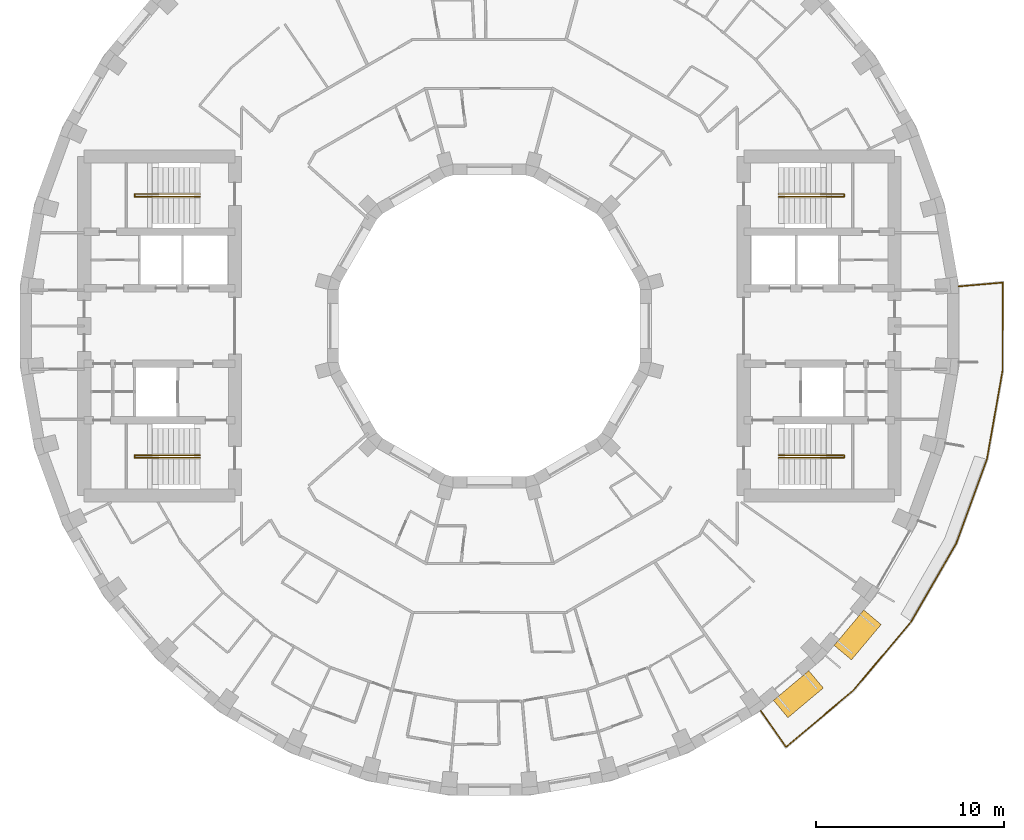
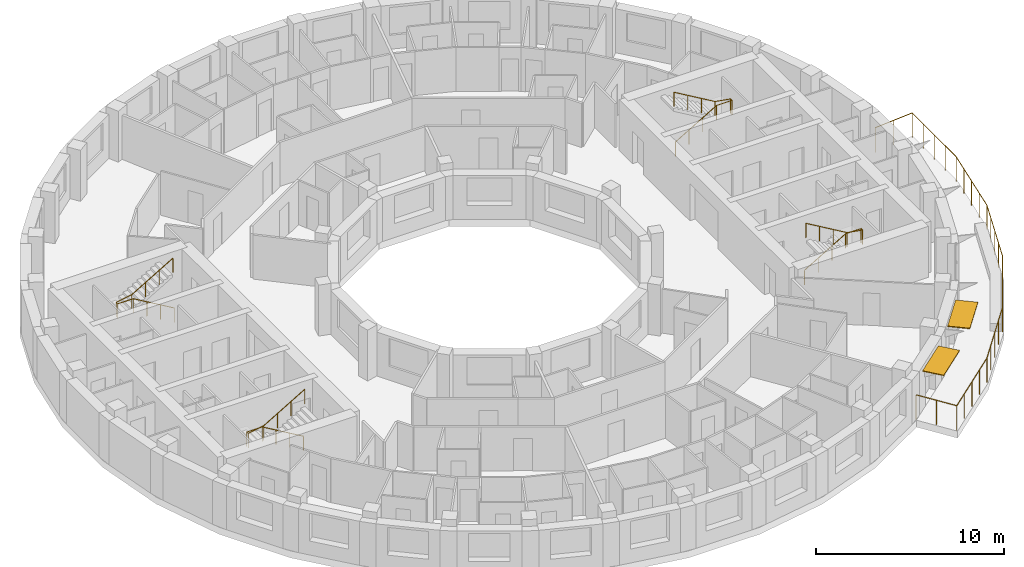
# One storey, part 14 of 14: 5 railings, 2 shading devices.
"""IFC4 building model written with IfcOpenShell, lengths in metres."""

from ifc_helpers import new_model, si_unit, direction, frame, origin, origin_2d, place, context, subcontext, project, spatial, rectangle, circle, extrude, material, layer, layer_set, type_object, element, save


model = new_model("IFC4")

# Units and contexts
model_context = context("Model", 3, precision=1e-05, world=origin(), true_north=direction((0.0, 1.0)))
body_context = subcontext(model_context, "Body", "Model", "MODEL_VIEW")
ifc_project = project(units=[si_unit("LENGTHUNIT", "METRE"), si_unit("AREAUNIT", "SQUARE_METRE"), si_unit("VOLUMEUNIT", "CUBIC_METRE"), si_unit("PLANEANGLEUNIT", "RADIAN"), si_unit("MASSUNIT", "GRAM", prefix="KILO")], contexts=[model_context])

# Site, building, storey
site_placement = place(None, origin())
site = spatial("IfcSite", under=ifc_project, at=site_placement, CompositionType="ELEMENT")
building_placement = place(site_placement, origin())
building = spatial("IfcBuilding", under=site, at=building_placement, Name="Saqina Gate Tower", CompositionType="ELEMENT")
storey_placement = place(building_placement, frame((0.0, 0.0, 170.699951171875)))
storey = spatial("IfcBuildingStorey", under=building, at=storey_placement, Name="L48", CompositionType="ELEMENT", Elevation=170.699951171875)

# Shading devices
ifc_material_1 = material(Name="Aluminium and fabric awning", Category="aluminium")
ifc_layer = layer(ifc_material_1, 0.050048828125)
ifc_layer_set = layer_set([ifc_layer], Name="AW-TERRACE")
shading_device_type = type_object("IfcShadingDeviceType", Name="AW-TERRACE", PredefinedType="AWNING", material=ifc_layer_set)
for number, where, z_axis, x_axis, name in (
    (1, (16.394287109375, -19.537841796875, 2.52490234375), (0.0, 0.0, 1.0), (0.766044443119, 0.642787609687, 0.0), "Terrace awning L48 facet 31"),
    (2, (19.537841796875, -16.394287109375, 2.52490234375), (0.0, 0.0, 1.0), (0.642787609687, 0.766044443119, 0.0), "Terrace awning L48 facet 32"),
):
    element("IfcShadingDevice", number, at=place(storey_placement, frame(where, z_axis=z_axis, x_axis=x_axis)), inside=storey, type_object=shading_device_type, Name=name, PredefinedType="AWNING", context=body_context, shape_type="SweptSolid", body=[
        extrude(rectangle(XDim=2.44970703125, YDim=1.199951171875, at=origin_2d()), origin(), (0.0, 0.0, 1.0), 0.050048828125),
    ])

# Railings
ifc_material_2 = material(Name="Stainless steel", Category="steel")
railing_type_1 = type_object("IfcRailingType", Name="RL-TERRACE", PredefinedType="GUARDRAIL", material=ifc_material_2)
railing_1_placement = place(storey_placement, frame((14.37060546875, -20.3837890625, 0.0)))
element("IfcRailing", 3, at=railing_1_placement, inside=storey, type_object=railing_type_1, Name="Terrace guard L48", PredefinedType="GUARDRAIL", context=body_context, shape_type="SweptSolid", body=[
    extrude(circle(Radius=0.02392578125, at=origin_2d()), frame((0.0, 0.0, 1.576171875), z_axis=(0.573565229124, -0.819159891559, 0.0), x_axis=(0.819159891559, 0.573565229124, 0.0)), (0.0, 0.0, 1.0), 2.388671875),
    extrude(circle(Radius=0.02392578125, at=origin_2d()), frame((1.3701171875, -1.956787109375, 1.576171875), z_axis=(0.765097689878, 0.643914221728, 0.0), x_axis=(-0.643914221728, 0.765097689878, 0.0)), (0.0, 0.0, 1.0), 4.68408203125),
    extrude(circle(Radius=0.02392578125, at=origin_2d()), frame((4.953857421875, 1.059326171875, 1.576171875), z_axis=(0.642786942402, 0.766045003037, 0.0), x_axis=(-0.766045003037, 0.642786942402, 0.0)), (0.0, 0.0, 1.0), 4.763671875),
    extrude(circle(Radius=0.02392578125, at=origin_2d()), frame((8.015869140625, 4.70849609375, 1.576171875), z_axis=(0.499997507361, 0.866026842905, 0.0), x_axis=(-0.866026842905, 0.499997507361, 0.0)), (0.0, 0.0, 1.0), 4.763671875),
    extrude(circle(Radius=0.02392578125, at=origin_2d()), frame((10.397705078125, 8.833984375, 1.576171875), z_axis=(0.342031084868, 0.939688638318, 0.0), x_axis=(-0.939688638318, 0.342031084868, 0.0)), (0.0, 0.0, 1.0), 4.763916015625),
    extrude(circle(Radius=0.02392578125, at=origin_2d()), frame((12.027099609375, 13.310546875, 1.576171875), z_axis=(0.173633303123, 0.98481037568, 0.0), x_axis=(-0.98481037568, 0.173633303123, 0.0)), (0.0, 0.0, 1.0), 4.763671875),
    extrude(circle(Radius=0.02392578125, at=origin_2d()), frame((12.854248046875, 18.001953125, 1.576171875), z_axis=(0.001459395923, 0.999998935081, 0.0), x_axis=(-0.999998935081, 0.001459395923, 0.0)), (0.0, 0.0, 1.0), 4.68408203125),
    extrude(circle(Radius=0.02392578125, at=origin_2d()), frame((12.861083984375, 22.68603515625, 1.576171875), z_axis=(-0.996192497087, -0.087180896688, 0.0), x_axis=(0.087180896688, -0.996192497087, 0.0)), (0.0, 0.0, 1.0), 2.388671875),
    extrude(circle(Radius=0.02099609375, at=origin_2d()), origin(), (0.0, 0.0, 1.0), 1.552001953125),
    extrude(circle(Radius=0.02099609375, at=origin_2d()), frame((0.68505859375, -0.978515625, 0.0)), (0.0, 0.0, 1.0), 1.552001953125),
    extrude(circle(Radius=0.02099609375, at=origin_2d()), frame((1.3701171875, -1.956787109375, 0.0)), (0.0, 0.0, 1.0), 1.552001953125),
    extrude(circle(Radius=0.02099609375, at=origin_2d()), frame((2.26611328125, -1.20263671875, 0.0)), (0.0, 0.0, 1.0), 1.552001953125),
    extrude(circle(Radius=0.02099609375, at=origin_2d()), frame((3.162109375, -0.44873046875, 0.0)), (0.0, 0.0, 1.0), 1.552001953125),
    extrude(circle(Radius=0.02099609375, at=origin_2d()), frame((4.057861328125, 0.30517578125, 0.0)), (0.0, 0.0, 1.0), 1.552001953125),
    extrude(circle(Radius=0.02099609375, at=origin_2d()), frame((4.953857421875, 1.059326171875, 0.0)), (0.0, 0.0, 1.0), 1.552001953125),
    extrude(circle(Radius=0.02099609375, at=origin_2d()), frame((5.71923828125, 1.9716796875, 0.0)), (0.0, 0.0, 1.0), 1.552001953125),
    extrude(circle(Radius=0.02099609375, at=origin_2d()), frame((6.48486328125, 2.8837890625, 0.0)), (0.0, 0.0, 1.0), 1.552001953125),
    extrude(circle(Radius=0.02099609375, at=origin_2d()), frame((7.25048828125, 3.796142578125, 0.0)), (0.0, 0.0, 1.0), 1.552001953125),
    extrude(circle(Radius=0.02099609375, at=origin_2d()), frame((8.015869140625, 4.70849609375, 0.0)), (0.0, 0.0, 1.0), 1.552001953125),
    extrude(circle(Radius=0.02099609375, at=origin_2d()), frame((8.611328125, 5.73974609375, 0.0)), (0.0, 0.0, 1.0), 1.552001953125),
    extrude(circle(Radius=0.02099609375, at=origin_2d()), frame((9.206787109375, 6.771240234375, 0.0)), (0.0, 0.0, 1.0), 1.552001953125),
    extrude(circle(Radius=0.02099609375, at=origin_2d()), frame((9.80224609375, 7.802734375, 0.0)), (0.0, 0.0, 1.0), 1.552001953125),
    extrude(circle(Radius=0.02099609375, at=origin_2d()), frame((10.397705078125, 8.833984375, 0.0)), (0.0, 0.0, 1.0), 1.552001953125),
    extrude(circle(Radius=0.02099609375, at=origin_2d()), frame((10.80517578125, 9.953125, 0.0)), (0.0, 0.0, 1.0), 1.552001953125),
    extrude(circle(Radius=0.02099609375, at=origin_2d()), frame((11.21240234375, 11.072265625, 0.0)), (0.0, 0.0, 1.0), 1.552001953125),
    extrude(circle(Radius=0.02099609375, at=origin_2d()), frame((11.61962890625, 12.19140625, 0.0)), (0.0, 0.0, 1.0), 1.552001953125),
    extrude(circle(Radius=0.02099609375, at=origin_2d()), frame((12.027099609375, 13.310546875, 0.0)), (0.0, 0.0, 1.0), 1.552001953125),
    extrude(circle(Radius=0.02099609375, at=origin_2d()), frame((12.23388671875, 14.4833984375, 0.0)), (0.0, 0.0, 1.0), 1.552001953125),
    extrude(circle(Radius=0.02099609375, at=origin_2d()), frame((12.440673828125, 15.65625, 0.0)), (0.0, 0.0, 1.0), 1.552001953125),
    extrude(circle(Radius=0.02099609375, at=origin_2d()), frame((12.6474609375, 16.8291015625, 0.0)), (0.0, 0.0, 1.0), 1.552001953125),
    extrude(circle(Radius=0.02099609375, at=origin_2d()), frame((12.854248046875, 18.001953125, 0.0)), (0.0, 0.0, 1.0), 1.552001953125),
    extrude(circle(Radius=0.02099609375, at=origin_2d()), frame((12.85595703125, 19.1728515625, 0.0)), (0.0, 0.0, 1.0), 1.552001953125),
    extrude(circle(Radius=0.02099609375, at=origin_2d()), frame((12.857666015625, 20.343994140625, 0.0)), (0.0, 0.0, 1.0), 1.552001953125),
    extrude(circle(Radius=0.02099609375, at=origin_2d()), frame((12.859375, 21.51513671875, 0.0)), (0.0, 0.0, 1.0), 1.552001953125),
    extrude(circle(Radius=0.02099609375, at=origin_2d()), frame((12.861083984375, 22.68603515625, 0.0)), (0.0, 0.0, 1.0), 1.552001953125),
    extrude(circle(Radius=0.02099609375, at=origin_2d()), frame((11.67138671875, 22.58203125, 0.0)), (0.0, 0.0, 1.0), 1.552001953125),
    extrude(circle(Radius=0.02099609375, at=origin_2d()), frame((10.4814453125, 22.477783203125, 0.0)), (0.0, 0.0, 1.0), 1.552001953125),
])
ifc_material_3 = material(Name="Stainless steel", Category="steel")
railing_type_2 = type_object("IfcRailingType", Name="STAIR HANDRAIL", PredefinedType="HANDRAIL", material=ifc_material_3)
railing_2_placement = place(storey_placement, frame((15.35009765625, 6.85009765625, 0.1650390625)))
element("IfcRailing", 4, at=railing_2_placement, inside=storey, type_object=railing_type_2, Name="EXIT STAIR 1 HANDRAIL", PredefinedType="HANDRAIL", context=body_context, shape_type="SweptSolid", body=[
    extrude(circle(Radius=0.02392578125, at=origin_2d()), frame((0.0, 0.0, 0.92578125), z_axis=(0.86152411907, 0.0, 0.507716645641), x_axis=(0.0, 1.0, 0.0)), (0.0, 0.0, 1.0), 2.925048828125),
    extrude(circle(Radius=0.02392578125, at=origin_2d()), frame((2.52001953125, 0.0, 2.4111328125), z_axis=(1.0, 0.0, 0.0), x_axis=(0.0, 1.0, 0.0)), (0.0, 0.0, 1.0), 0.949951171875),
    extrude(circle(Radius=0.02392578125, at=origin_2d()), frame((3.469970703125, 0.0, 2.4111328125), z_axis=(0.0, 1.0, 0.0), x_axis=(-1.0, 0.0, 0.0)), (0.0, 0.0, 1.0), 0.14990234375),
    extrude(circle(Radius=0.02392578125, at=origin_2d()), frame((3.469970703125, 0.14990234375, 2.4111328125), z_axis=(-0.985284148366, 0.0, 0.170924389655), x_axis=(0.0, -1.0, 0.0)), (0.0, 0.0, 1.0), 0.964111328125),
    extrude(circle(Radius=0.02392578125, at=origin_2d()), frame((2.52001953125, 0.14990234375, 2.57568359375), z_axis=(-0.86152411907, 0.0, 0.507716645641), x_axis=(0.0, -1.0, 0.0)), (0.0, 0.0, 1.0), 2.925048828125),
    extrude(circle(Radius=0.02099609375, at=origin_2d()), origin(), (0.0, 0.0, 1.0), 0.90185546875),
    extrude(circle(Radius=0.02099609375, at=origin_2d()), frame((0.840087890625, 0.0, 0.4951171875)), (0.0, 0.0, 1.0), 0.90185546875),
    extrude(circle(Radius=0.02099609375, at=origin_2d()), frame((1.679931640625, 0.0, 0.989990234375)), (0.0, 0.0, 1.0), 0.90185546875),
    extrude(circle(Radius=0.02099609375, at=origin_2d()), frame((2.52001953125, 0.0, 1.485107421875)), (0.0, 0.0, 1.0), 0.90185546875),
    extrude(circle(Radius=0.02099609375, at=origin_2d()), frame((3.469970703125, 0.0, 1.485107421875)), (0.0, 0.0, 1.0), 0.90185546875),
    extrude(circle(Radius=0.02099609375, at=origin_2d()), frame((3.469970703125, 0.14990234375, 1.485107421875)), (0.0, 0.0, 1.0), 0.90185546875),
    extrude(circle(Radius=0.02099609375, at=origin_2d()), frame((2.52001953125, 0.14990234375, 1.64990234375)), (0.0, 0.0, 1.0), 0.90185546875),
    extrude(circle(Radius=0.02099609375, at=origin_2d()), frame((1.679931640625, 0.14990234375, 2.14501953125)), (0.0, 0.0, 1.0), 0.90185546875),
    extrude(circle(Radius=0.02099609375, at=origin_2d()), frame((0.840087890625, 0.14990234375, 2.639892578125)), (0.0, 0.0, 1.0), 0.90185546875),
    extrude(circle(Radius=0.02099609375, at=origin_2d()), frame((0.0, 0.14990234375, 3.135009765625)), (0.0, 0.0, 1.0), 0.90185546875),
])
railing_3_placement = place(storey_placement, frame((15.35009765625, -6.85009765625, 0.1650390625)))
element("IfcRailing", 5, at=railing_3_placement, inside=storey, type_object=railing_type_2, Name="EXIT STAIR 2 HANDRAIL", PredefinedType="HANDRAIL", context=body_context, shape_type="SweptSolid", body=[
    extrude(circle(Radius=0.02392578125, at=origin_2d()), frame((0.0, 0.0, 0.92578125), z_axis=(0.86152411907, 0.0, 0.507716645641), x_axis=(0.0, 1.0, 0.0)), (0.0, 0.0, 1.0), 2.925048828125),
    extrude(circle(Radius=0.02392578125, at=origin_2d()), frame((2.52001953125, 0.0, 2.4111328125), z_axis=(1.0, 0.0, 0.0), x_axis=(0.0, 1.0, 0.0)), (0.0, 0.0, 1.0), 0.949951171875),
    extrude(circle(Radius=0.02392578125, at=origin_2d()), frame((3.469970703125, 0.0, 2.4111328125), z_axis=(0.0, -1.0, 0.0), x_axis=(1.0, 0.0, 0.0)), (0.0, 0.0, 1.0), 0.14990234375),
    extrude(circle(Radius=0.02392578125, at=origin_2d()), frame((3.469970703125, -0.14990234375, 2.4111328125), z_axis=(-0.985284148366, 0.0, 0.170924389655), x_axis=(0.0, -1.0, 0.0)), (0.0, 0.0, 1.0), 0.964111328125),
    extrude(circle(Radius=0.02392578125, at=origin_2d()), frame((2.52001953125, -0.14990234375, 2.57568359375), z_axis=(-0.86152411907, 0.0, 0.507716645641), x_axis=(0.0, -1.0, 0.0)), (0.0, 0.0, 1.0), 2.925048828125),
    extrude(circle(Radius=0.02099609375, at=origin_2d()), origin(), (0.0, 0.0, 1.0), 0.90185546875),
    extrude(circle(Radius=0.02099609375, at=origin_2d()), frame((0.840087890625, 0.0, 0.4951171875)), (0.0, 0.0, 1.0), 0.90185546875),
    extrude(circle(Radius=0.02099609375, at=origin_2d()), frame((1.679931640625, 0.0, 0.989990234375)), (0.0, 0.0, 1.0), 0.90185546875),
    extrude(circle(Radius=0.02099609375, at=origin_2d()), frame((2.52001953125, 0.0, 1.485107421875)), (0.0, 0.0, 1.0), 0.90185546875),
    extrude(circle(Radius=0.02099609375, at=origin_2d()), frame((3.469970703125, 0.0, 1.485107421875)), (0.0, 0.0, 1.0), 0.90185546875),
    extrude(circle(Radius=0.02099609375, at=origin_2d()), frame((3.469970703125, -0.14990234375, 1.485107421875)), (0.0, 0.0, 1.0), 0.90185546875),
    extrude(circle(Radius=0.02099609375, at=origin_2d()), frame((2.52001953125, -0.14990234375, 1.64990234375)), (0.0, 0.0, 1.0), 0.90185546875),
    extrude(circle(Radius=0.02099609375, at=origin_2d()), frame((1.679931640625, -0.14990234375, 2.14501953125)), (0.0, 0.0, 1.0), 0.90185546875),
    extrude(circle(Radius=0.02099609375, at=origin_2d()), frame((0.840087890625, -0.14990234375, 2.639892578125)), (0.0, 0.0, 1.0), 0.90185546875),
    extrude(circle(Radius=0.02099609375, at=origin_2d()), frame((0.0, -0.14990234375, 3.135009765625)), (0.0, 0.0, 1.0), 0.90185546875),
])
railing_4_placement = place(storey_placement, frame((-15.35009765625, 6.85009765625, 0.1650390625)))
element("IfcRailing", 6, at=railing_4_placement, inside=storey, type_object=railing_type_2, Name="EXIT STAIR 3 HANDRAIL", PredefinedType="HANDRAIL", context=body_context, shape_type="SweptSolid", body=[
    extrude(circle(Radius=0.02392578125, at=origin_2d()), frame((0.0, 0.0, 0.92578125), z_axis=(-0.86152411907, 0.0, 0.507716645641), x_axis=(0.0, -1.0, 0.0)), (0.0, 0.0, 1.0), 2.925048828125),
    extrude(circle(Radius=0.02392578125, at=origin_2d()), frame((-2.52001953125, 0.0, 2.4111328125), z_axis=(-1.0, 0.0, 0.0), x_axis=(0.0, -1.0, 0.0)), (0.0, 0.0, 1.0), 0.949951171875),
    extrude(circle(Radius=0.02392578125, at=origin_2d()), frame((-3.469970703125, 0.0, 2.4111328125), z_axis=(0.0, 1.0, 0.0), x_axis=(-1.0, 0.0, 0.0)), (0.0, 0.0, 1.0), 0.14990234375),
    extrude(circle(Radius=0.02392578125, at=origin_2d()), frame((-3.469970703125, 0.14990234375, 2.4111328125), z_axis=(0.985284148366, 0.0, 0.170924389655), x_axis=(0.0, 1.0, 0.0)), (0.0, 0.0, 1.0), 0.964111328125),
    extrude(circle(Radius=0.02392578125, at=origin_2d()), frame((-2.52001953125, 0.14990234375, 2.57568359375), z_axis=(0.86152411907, 0.0, 0.507716645641), x_axis=(0.0, 1.0, 0.0)), (0.0, 0.0, 1.0), 2.925048828125),
    extrude(circle(Radius=0.02099609375, at=origin_2d()), origin(), (0.0, 0.0, 1.0), 0.90185546875),
    extrude(circle(Radius=0.02099609375, at=origin_2d()), frame((-0.840087890625, 0.0, 0.4951171875)), (0.0, 0.0, 1.0), 0.90185546875),
    extrude(circle(Radius=0.02099609375, at=origin_2d()), frame((-1.679931640625, 0.0, 0.989990234375)), (0.0, 0.0, 1.0), 0.90185546875),
    extrude(circle(Radius=0.02099609375, at=origin_2d()), frame((-2.52001953125, 0.0, 1.485107421875)), (0.0, 0.0, 1.0), 0.90185546875),
    extrude(circle(Radius=0.02099609375, at=origin_2d()), frame((-3.469970703125, 0.0, 1.485107421875)), (0.0, 0.0, 1.0), 0.90185546875),
    extrude(circle(Radius=0.02099609375, at=origin_2d()), frame((-3.469970703125, 0.14990234375, 1.485107421875)), (0.0, 0.0, 1.0), 0.90185546875),
    extrude(circle(Radius=0.02099609375, at=origin_2d()), frame((-2.52001953125, 0.14990234375, 1.64990234375)), (0.0, 0.0, 1.0), 0.90185546875),
    extrude(circle(Radius=0.02099609375, at=origin_2d()), frame((-1.679931640625, 0.14990234375, 2.14501953125)), (0.0, 0.0, 1.0), 0.90185546875),
    extrude(circle(Radius=0.02099609375, at=origin_2d()), frame((-0.840087890625, 0.14990234375, 2.639892578125)), (0.0, 0.0, 1.0), 0.90185546875),
    extrude(circle(Radius=0.02099609375, at=origin_2d()), frame((0.0, 0.14990234375, 3.135009765625)), (0.0, 0.0, 1.0), 0.90185546875),
])
railing_5_placement = place(storey_placement, frame((-15.35009765625, -6.85009765625, 0.1650390625)))
element("IfcRailing", 7, at=railing_5_placement, inside=storey, type_object=railing_type_2, Name="EXIT STAIR 4 HANDRAIL", PredefinedType="HANDRAIL", context=body_context, shape_type="SweptSolid", body=[
    extrude(circle(Radius=0.02392578125, at=origin_2d()), frame((0.0, 0.0, 0.92578125), z_axis=(-0.86152411907, 0.0, 0.507716645641), x_axis=(0.0, -1.0, 0.0)), (0.0, 0.0, 1.0), 2.925048828125),
    extrude(circle(Radius=0.02392578125, at=origin_2d()), frame((-2.52001953125, 0.0, 2.4111328125), z_axis=(-1.0, 0.0, 0.0), x_axis=(0.0, -1.0, 0.0)), (0.0, 0.0, 1.0), 0.949951171875),
    extrude(circle(Radius=0.02392578125, at=origin_2d()), frame((-3.469970703125, 0.0, 2.4111328125), z_axis=(0.0, -1.0, 0.0), x_axis=(1.0, 0.0, 0.0)), (0.0, 0.0, 1.0), 0.14990234375),
    extrude(circle(Radius=0.02392578125, at=origin_2d()), frame((-3.469970703125, -0.14990234375, 2.4111328125), z_axis=(0.985284148366, 0.0, 0.170924389655), x_axis=(0.0, 1.0, 0.0)), (0.0, 0.0, 1.0), 0.964111328125),
    extrude(circle(Radius=0.02392578125, at=origin_2d()), frame((-2.52001953125, -0.14990234375, 2.57568359375), z_axis=(0.86152411907, 0.0, 0.507716645641), x_axis=(0.0, 1.0, 0.0)), (0.0, 0.0, 1.0), 2.925048828125),
    extrude(circle(Radius=0.02099609375, at=origin_2d()), origin(), (0.0, 0.0, 1.0), 0.90185546875),
    extrude(circle(Radius=0.02099609375, at=origin_2d()), frame((-0.840087890625, 0.0, 0.4951171875)), (0.0, 0.0, 1.0), 0.90185546875),
    extrude(circle(Radius=0.02099609375, at=origin_2d()), frame((-1.679931640625, 0.0, 0.989990234375)), (0.0, 0.0, 1.0), 0.90185546875),
    extrude(circle(Radius=0.02099609375, at=origin_2d()), frame((-2.52001953125, 0.0, 1.485107421875)), (0.0, 0.0, 1.0), 0.90185546875),
    extrude(circle(Radius=0.02099609375, at=origin_2d()), frame((-3.469970703125, 0.0, 1.485107421875)), (0.0, 0.0, 1.0), 0.90185546875),
    extrude(circle(Radius=0.02099609375, at=origin_2d()), frame((-3.469970703125, -0.14990234375, 1.485107421875)), (0.0, 0.0, 1.0), 0.90185546875),
    extrude(circle(Radius=0.02099609375, at=origin_2d()), frame((-2.52001953125, -0.14990234375, 1.64990234375)), (0.0, 0.0, 1.0), 0.90185546875),
    extrude(circle(Radius=0.02099609375, at=origin_2d()), frame((-1.679931640625, -0.14990234375, 2.14501953125)), (0.0, 0.0, 1.0), 0.90185546875),
    extrude(circle(Radius=0.02099609375, at=origin_2d()), frame((-0.840087890625, -0.14990234375, 2.639892578125)), (0.0, 0.0, 1.0), 0.90185546875),
    extrude(circle(Radius=0.02099609375, at=origin_2d()), frame((0.0, -0.14990234375, 3.135009765625)), (0.0, 0.0, 1.0), 0.90185546875),
])

save(model, "model.ifc")
